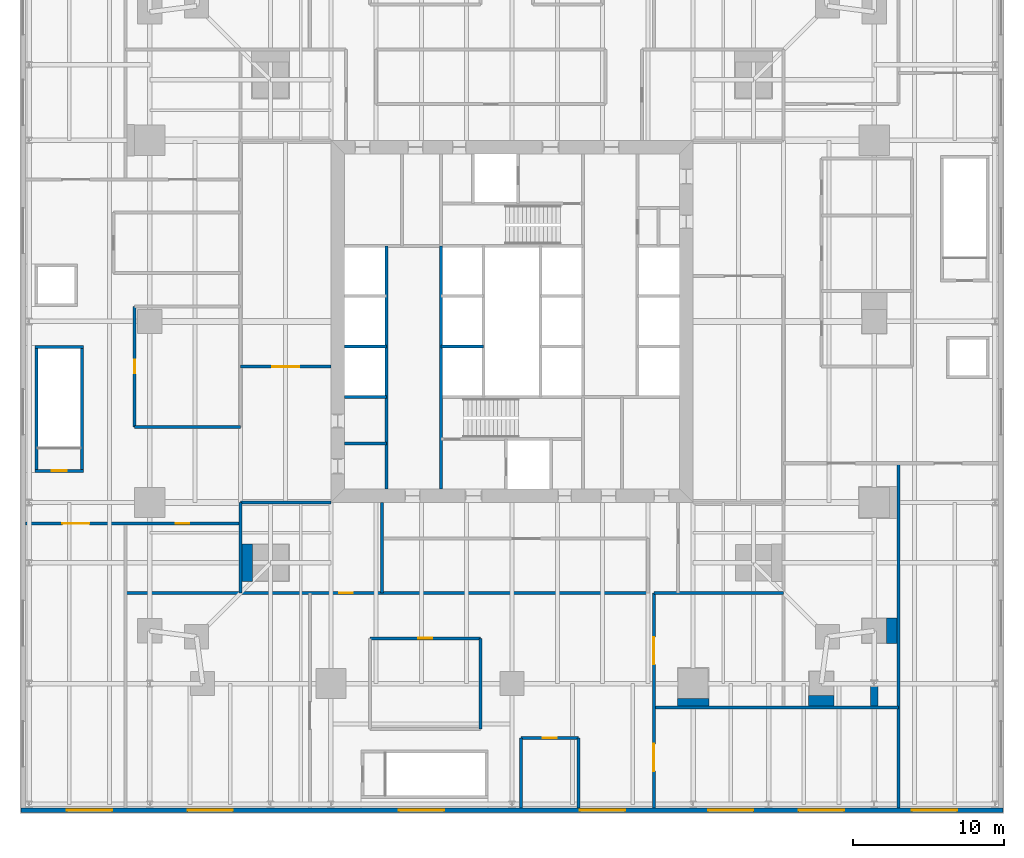
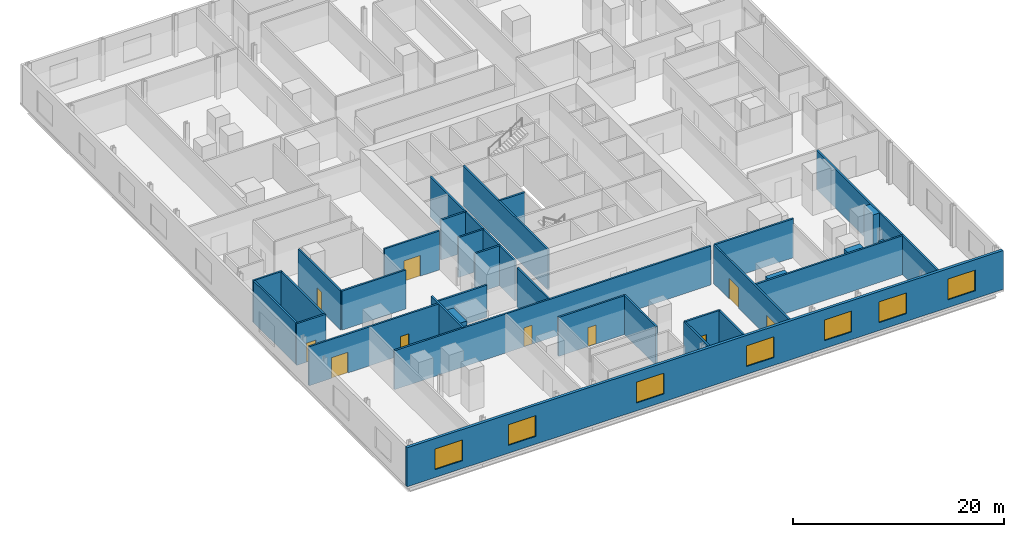
# One storey, part 9 of 15: 33 walls, 10 doors, 7 windows, 17 openings.
"""IFC4 building model written with IfcOpenShell, lengths in metres."""

from ifc_helpers import new_model, si_unit, direction, frame, frame_2d, origin, place, context, subcontext, project, spatial, rectangle, extrude, material, layer, layer_set, type_object, element, fill, save


model = new_model("IFC4")

# Units and contexts
model_context = context("Model", 3, precision=1e-05, world=origin(), true_north=direction((0.0, 1.0)))
body_context = subcontext(model_context, "Body", "Model", "MODEL_VIEW")
ifc_project = project(units=[si_unit("LENGTHUNIT", "METRE"), si_unit("AREAUNIT", "SQUARE_METRE"), si_unit("VOLUMEUNIT", "CUBIC_METRE"), si_unit("PLANEANGLEUNIT", "RADIAN"), si_unit("MASSUNIT", "GRAM", prefix="KILO")], contexts=[model_context])

# Site, building, storey
site_placement = place(None, origin())
site = spatial("IfcSite", under=ifc_project, at=site_placement, CompositionType="ELEMENT")
building_placement = place(site_placement, origin())
building = spatial("IfcBuilding", under=site, at=building_placement, Name="Fenwick Lantern Interchange", CompositionType="ELEMENT")
storey_placement = place(building_placement, frame((0.0, 0.0, 26.199951171875)))
storey = spatial("IfcBuildingStorey", under=building, at=storey_placement, Name="L05", CompositionType="ELEMENT", Elevation=26.199951171875)

# Walls
ifc_material_1 = material(Name="Fire-rated gypsum board encasement on steel studs, 2 hour", Category="steel")
ifc_layer_1 = layer(ifc_material_1, 1.699951171875)
ifc_layer_set_1 = layer_set([ifc_layer_1], Name="COLUMN PIER 1700")
wall_type_1 = type_object("IfcWallType", Name="COLUMN PIER 1700", PredefinedType="PARTITIONING", material=ifc_layer_set_1)
for number, where, z_axis, x_axis, name in (
    (1, (45.5, -0.5, 0.0), (0.0, 0.0, 1.0), (0.0, 1.0, 0.0), "L05/W/PIER/CS5"),
    (2, (50.5, 4.5, 0.0), (0.0, 0.0, 1.0), (-1.0, 0.0, 0.0), "L05/W/PIER/CE1"),
):
    element("IfcWall", number, at=place(storey_placement, frame(where, z_axis=z_axis, x_axis=x_axis)), inside=storey, type_object=wall_type_1, Name=name, PredefinedType="PARTITIONING", context=body_context, shape_type="SweptSolid", body=[
        extrude(rectangle(XDim=0.699951171875, YDim=1.699951171875, at=frame_2d((0.35009765625, 0.0))), origin(), (0.0, 0.0, 1.0), 4.5),
    ])
ifc_layer_2 = layer(ifc_material_1, 2.10009765625)
ifc_layer_set_2 = layer_set([ifc_layer_2], Name="COLUMN PIER 2100")
wall_type_2 = type_object("IfcWallType", Name="COLUMN PIER 2100", PredefinedType="PARTITIONING", material=ifc_layer_set_2)
wall_1_placement = place(storey_placement, frame((37.0, -0.5, 0.0), z_axis=(0.0, 0.0, 1.0), x_axis=(0.0, 1.0, 0.0)))
element("IfcWall", 3, at=wall_1_placement, inside=storey, type_object=wall_type_2, Name="L05/W/PIER/CS4", PredefinedType="PARTITIONING", context=body_context, shape_type="SweptSolid", body=[
    extrude(rectangle(XDim=0.5, YDim=2.10009765625, at=frame_2d((0.25, 0.0))), origin(), (0.0, 0.0, 1.0), 4.5),
])
ifc_layer_3 = layer(ifc_material_1, 2.5)
ifc_layer_set_3 = layer_set([ifc_layer_3], Name="COLUMN PIER 2500")
wall_type_3 = type_object("IfcWallType", Name="COLUMN PIER 2500", PredefinedType="PARTITIONING", material=ifc_layer_set_3)
wall_2_placement = place(storey_placement, frame((7.10009765625, 9.0, 0.0), z_axis=(0.0, 0.0, 1.0), x_axis=(1.0, 0.0, 0.0)))
element("IfcWall", 4, at=wall_2_placement, inside=storey, type_object=wall_type_3, Name="L05/W/PIER/M1", PredefinedType="PARTITIONING", context=body_context, shape_type="SweptSolid", body=[
    extrude(rectangle(XDim=0.699951171875, YDim=2.5, at=frame_2d((0.35009765625, 0.0))), origin(), (0.0, 0.0, 1.0), 4.5),
])
ifc_layer_4 = layer(ifc_material_1, 0.506103515625)
ifc_layer_set_4 = layer_set([ifc_layer_4], Name="COLUMN PIER 506")
wall_type_4 = type_object("IfcWallType", Name="COLUMN PIER 506", PredefinedType="PARTITIONING", material=ifc_layer_set_4)
wall_3_placement = place(storey_placement, frame((49.0, -0.5, 0.0), z_axis=(0.0, 0.0, 1.0), x_axis=(0.0, 1.0, 0.0)))
element("IfcWall", 5, at=wall_3_placement, inside=storey, type_object=wall_type_4, Name="L05/W/PIER/PC9", PredefinedType="PARTITIONING", context=body_context, shape_type="SweptSolid", body=[
    extrude(rectangle(XDim=1.291748046875, YDim=0.506103515625, at=frame_2d((0.64599609375, 0.0))), origin(), (0.0, 0.0, 1.0), 3.654296875),
])
ifc_material_2 = material(Name="Concrete masonry ASTM C90 Grade N", Category="masonry")
ifc_layer_5 = layer(ifc_material_2, 0.199951171875)
ifc_layer_set_5 = layer_set([ifc_layer_5], Name="Concrete masonry ASTM C90 Grade N")
wall_type_5 = type_object("IfcWallType", Name="CORE PARTITION 200", PredefinedType="PARTITIONING", material=ifc_layer_set_5)
wall_4_placement = place(storey_placement, frame((16.699951171875, 13.89990234375, 0.0), z_axis=(0.0, 0.0, 1.0), x_axis=(0.0, 1.0, 0.0)))
element("IfcWall", 6, at=wall_4_placement, inside=storey, type_object=wall_type_5, Name="L05/W/CORES/a", PredefinedType="PARTITIONING", context=body_context, shape_type="SweptSolid", body=[
    extrude(rectangle(XDim=16.10009765625, YDim=0.199951171875, at=frame_2d((8.050048828125, 0.0))), origin(), (0.0, 0.0, 1.0), 4.60009765625),
])
for number, where, z_axis, x_axis, name in (
    (7, (13.89990234375, 20.0, 0.0), (0.0, 0.0, 1.0), (1.0, 0.0, 0.0), "L05/W/CORES/c2"),
    (8, (13.89990234375, 23.333251953125, 0.0), (0.0, 0.0, 1.0), (1.0, 0.0, 0.0), "L05/W/CORES/d1"),
    (9, (20.300048828125, 23.333251953125, 0.0), (0.0, 0.0, 1.0), (1.0, 0.0, 0.0), "L05/W/CORES/e1"),
    (10, (13.89990234375, 16.89990234375, 0.0), (0.0, 0.0, 1.0), (1.0, 0.0, 0.0), "L05/W/CORES/p1"),
):
    element("IfcWall", number, at=place(storey_placement, frame(where, z_axis=z_axis, x_axis=x_axis)), inside=storey, type_object=wall_type_5, Name=name, PredefinedType="PARTITIONING", context=body_context, shape_type="SweptSolid", body=[
        extrude(rectangle(XDim=2.800048828125, YDim=0.199951171875, at=frame_2d((1.39990234375, 0.0))), origin(), (0.0, 0.0, 1.0), 4.60009765625),
    ])

# Wall, openings, windows
ifc_material_3 = material(Name="Limestone ASTM C568 Classification II", Category="masonry")
ifc_layer_6 = layer(ifc_material_3, 0.074951171875)
ifc_material_4 = material(Name="Mineral wool insulation")
ifc_layer_7 = layer(ifc_material_4, 0.125)
ifc_material_5 = material(Name="Cold-formed galvanised steel studs", Category="steel")
ifc_layer_8 = layer(ifc_material_5, 0.10009765625)
ifc_layer_set_6 = layer_set([ifc_layer_6, ifc_layer_7, ifc_layer_8], Name="Limestone ASTM C568 Classification II")
wall_type_6 = type_object("IfcWallType", Name="LIMESTONE RAINSCREEN WALL 300", PredefinedType="SOLIDWALL", material=ifc_layer_set_6)
wall_5_placement = place(storey_placement, frame((-7.550048828125, -7.39990234375, 0.0), z_axis=(0.0, 0.0, 1.0), x_axis=(1.0, 0.0, 0.0)))
wall_5 = element("IfcWall", 11, at=wall_5_placement, inside=storey, type_object=wall_type_6, Name="L05/EW/S", PredefinedType="SOLIDWALL", context=body_context, shape_type="SweptSolid", body=[
    extrude(rectangle(XDim=65.10009765625, YDim=0.300048828125, at=frame_2d((32.550048828125, 0.0))), origin(), (0.0, 0.0, 1.0), 4.5),
])
opening_1_placement = place(wall_5_placement, frame((3.050048828125, 0.0, 0.89990234375)))
opening_1 = element("IfcOpeningElement", 12, at=opening_1_placement, cuts=wall_5, Name="Opening W1", PredefinedType="OPENING", context=body_context, shape_type="SweptSolid", body=[
    extrude(rectangle(XDim=3.0, YDim=2.39990234375, at=frame_2d((1.5, 1.199951171875))), frame((0.0, 0.159912109375, 0.0), z_axis=(0.0, -1.0, 0.0), x_axis=(1.0, 0.0, 0.0)), (0.0, 0.0, 1.0), 0.320068359375),
])
opening_2_placement = place(wall_5_placement, frame((11.050048828125, 0.0, 0.89990234375)))
opening_2 = element("IfcOpeningElement", 13, at=opening_2_placement, cuts=wall_5, Name="Opening W1", PredefinedType="OPENING", context=body_context, shape_type="SweptSolid", body=[
    extrude(rectangle(XDim=3.0, YDim=2.39990234375, at=frame_2d((1.5, 1.199951171875))), frame((0.0, 0.159912109375, 0.0), z_axis=(0.0, -1.0, 0.0), x_axis=(1.0, 0.0, 0.0)), (0.0, 0.0, 1.0), 0.320068359375),
])
opening_3_placement = place(wall_5_placement, frame((25.050048828125, 0.0, 0.89990234375)))
opening_3 = element("IfcOpeningElement", 14, at=opening_3_placement, cuts=wall_5, Name="Opening W1", PredefinedType="OPENING", context=body_context, shape_type="SweptSolid", body=[
    extrude(rectangle(XDim=3.0, YDim=2.39990234375, at=frame_2d((1.5, 1.199951171875))), frame((0.0, 0.159912109375, 0.0), z_axis=(0.0, -1.0, 0.0), x_axis=(1.0, 0.0, 0.0)), (0.0, 0.0, 1.0), 0.320068359375),
])
opening_4_placement = place(wall_5_placement, frame((37.050048828125, 0.0, 0.89990234375)))
opening_4 = element("IfcOpeningElement", 15, at=opening_4_placement, cuts=wall_5, Name="Opening W1", PredefinedType="OPENING", context=body_context, shape_type="SweptSolid", body=[
    extrude(rectangle(XDim=3.0, YDim=2.39990234375, at=frame_2d((1.5, 1.199951171875))), frame((0.0, 0.159912109375, 0.0), z_axis=(0.0, -1.0, 0.0), x_axis=(1.0, 0.0, 0.0)), (0.0, 0.0, 1.0), 0.320068359375),
])
opening_5_placement = place(wall_5_placement, frame((45.550048828125, 0.0, 0.89990234375)))
opening_5 = element("IfcOpeningElement", 16, at=opening_5_placement, cuts=wall_5, Name="Opening W1", PredefinedType="OPENING", context=body_context, shape_type="SweptSolid", body=[
    extrude(rectangle(XDim=3.0, YDim=2.39990234375, at=frame_2d((1.5, 1.199951171875))), frame((0.0, 0.159912109375, 0.0), z_axis=(0.0, -1.0, 0.0), x_axis=(1.0, 0.0, 0.0)), (0.0, 0.0, 1.0), 0.320068359375),
])
opening_6_placement = place(wall_5_placement, frame((51.550048828125, 0.0, 0.89990234375)))
opening_6 = element("IfcOpeningElement", 17, at=opening_6_placement, cuts=wall_5, Name="Opening W1", PredefinedType="OPENING", context=body_context, shape_type="SweptSolid", body=[
    extrude(rectangle(XDim=3.0, YDim=2.39990234375, at=frame_2d((1.5, 1.199951171875))), frame((0.0, 0.159912109375, 0.0), z_axis=(0.0, -1.0, 0.0), x_axis=(1.0, 0.0, 0.0)), (0.0, 0.0, 1.0), 0.320068359375),
])
opening_7_placement = place(wall_5_placement, frame((59.050048828125, 0.0, 0.89990234375)))
opening_7 = element("IfcOpeningElement", 18, at=opening_7_placement, cuts=wall_5, Name="Opening W1", PredefinedType="OPENING", context=body_context, shape_type="SweptSolid", body=[
    extrude(rectangle(XDim=3.0, YDim=2.39990234375, at=frame_2d((1.5, 1.199951171875))), frame((0.0, 0.159912109375, 0.0), z_axis=(0.0, -1.0, 0.0), x_axis=(1.0, 0.0, 0.0)), (0.0, 0.0, 1.0), 0.320068359375),
])
ifc_material_6 = material(Name="Aluminium window, clear glass", Category="aluminium")
window_type = type_object("IfcWindowType", Name="PODIUM WINDOW 3000 X 2400", PartitioningType="SINGLE_PANEL", PredefinedType="WINDOW", material=ifc_material_6)
window_1_placement = place(opening_1_placement, origin())
window_1 = element("IfcWindow", 19, at=window_1_placement, inside=storey, type_object=window_type, Name="Podium window", OverallHeight=2.39990234375, OverallWidth=3.0, PartitioningType="SINGLE_PANEL", PredefinedType="WINDOW", context=body_context, shape_type="SweptSolid", body=[
    extrude(rectangle(XDim=3.0, YDim=2.39990234375, at=frame_2d((1.5, 1.199951171875))), frame((0.0, 0.030029296875, 0.0), z_axis=(0.0, -1.0, 0.0), x_axis=(1.0, 0.0, 0.0)), (0.0, 0.0, 1.0), 0.06005859375),
])
fill(opening_1, window_1)
window_2_placement = place(opening_2_placement, origin())
window_2 = element("IfcWindow", 20, at=window_2_placement, inside=storey, type_object=window_type, Name="Podium window", OverallHeight=2.39990234375, OverallWidth=3.0, PartitioningType="SINGLE_PANEL", PredefinedType="WINDOW", context=body_context, shape_type="SweptSolid", body=[
    extrude(rectangle(XDim=3.0, YDim=2.39990234375, at=frame_2d((1.5, 1.199951171875))), frame((0.0, 0.030029296875, 0.0), z_axis=(0.0, -1.0, 0.0), x_axis=(1.0, 0.0, 0.0)), (0.0, 0.0, 1.0), 0.06005859375),
])
fill(opening_2, window_2)
window_3_placement = place(opening_3_placement, origin())
window_3 = element("IfcWindow", 21, at=window_3_placement, inside=storey, type_object=window_type, Name="Podium window", OverallHeight=2.39990234375, OverallWidth=3.0, PartitioningType="SINGLE_PANEL", PredefinedType="WINDOW", context=body_context, shape_type="SweptSolid", body=[
    extrude(rectangle(XDim=3.0, YDim=2.39990234375, at=frame_2d((1.5, 1.199951171875))), frame((0.0, 0.030029296875, 0.0), z_axis=(0.0, -1.0, 0.0), x_axis=(1.0, 0.0, 0.0)), (0.0, 0.0, 1.0), 0.06005859375),
])
fill(opening_3, window_3)
window_4_placement = place(opening_4_placement, origin())
window_4 = element("IfcWindow", 22, at=window_4_placement, inside=storey, type_object=window_type, Name="Podium window", OverallHeight=2.39990234375, OverallWidth=3.0, PartitioningType="SINGLE_PANEL", PredefinedType="WINDOW", context=body_context, shape_type="SweptSolid", body=[
    extrude(rectangle(XDim=3.0, YDim=2.39990234375, at=frame_2d((1.5, 1.199951171875))), frame((0.0, 0.030029296875, 0.0), z_axis=(0.0, -1.0, 0.0), x_axis=(1.0, 0.0, 0.0)), (0.0, 0.0, 1.0), 0.06005859375),
])
fill(opening_4, window_4)
window_5_placement = place(opening_5_placement, origin())
window_5 = element("IfcWindow", 23, at=window_5_placement, inside=storey, type_object=window_type, Name="Podium window", OverallHeight=2.39990234375, OverallWidth=3.0, PartitioningType="SINGLE_PANEL", PredefinedType="WINDOW", context=body_context, shape_type="SweptSolid", body=[
    extrude(rectangle(XDim=3.0, YDim=2.39990234375, at=frame_2d((1.5, 1.199951171875))), frame((0.0, 0.030029296875, 0.0), z_axis=(0.0, -1.0, 0.0), x_axis=(1.0, 0.0, 0.0)), (0.0, 0.0, 1.0), 0.06005859375),
])
fill(opening_5, window_5)
window_6_placement = place(opening_6_placement, origin())
window_6 = element("IfcWindow", 24, at=window_6_placement, inside=storey, type_object=window_type, Name="Podium window", OverallHeight=2.39990234375, OverallWidth=3.0, PartitioningType="SINGLE_PANEL", PredefinedType="WINDOW", context=body_context, shape_type="SweptSolid", body=[
    extrude(rectangle(XDim=3.0, YDim=2.39990234375, at=frame_2d((1.5, 1.199951171875))), frame((0.0, 0.030029296875, 0.0), z_axis=(0.0, -1.0, 0.0), x_axis=(1.0, 0.0, 0.0)), (0.0, 0.0, 1.0), 0.06005859375),
])
fill(opening_6, window_6)
window_7_placement = place(opening_7_placement, origin())
window_7 = element("IfcWindow", 25, at=window_7_placement, inside=storey, type_object=window_type, Name="Podium window", OverallHeight=2.39990234375, OverallWidth=3.0, PartitioningType="SINGLE_PANEL", PredefinedType="WINDOW", context=body_context, shape_type="SweptSolid", body=[
    extrude(rectangle(XDim=3.0, YDim=2.39990234375, at=frame_2d((1.5, 1.199951171875))), frame((0.0, 0.030029296875, 0.0), z_axis=(0.0, -1.0, 0.0), x_axis=(1.0, 0.0, 0.0)), (0.0, 0.0, 1.0), 0.06005859375),
])
fill(opening_7, window_7)

# Wall, opening, door
ifc_material_7 = material(Name="Gypsum board on steel studs, 1 hour", Category="steel")
ifc_layer_9 = layer(ifc_material_7, 0.199951171875)
ifc_layer_set_7 = layer_set([ifc_layer_9], Name="ROOM WALL 200")
wall_type_7 = type_object("IfcWallType", Name="ROOM WALL 200", PredefinedType="PARTITIONING", material=ifc_layer_set_7)
wall_6_placement = place(storey_placement, frame((0.0, 18.0, 0.0), z_axis=(0.0, 0.0, 1.0), x_axis=(0.0, 1.0, 0.0)))
wall_6 = element("IfcWall", 26, at=wall_6_placement, inside=storey, type_object=wall_type_7, Name="L05/W/POD/X0-1", PredefinedType="PARTITIONING", context=body_context, shape_type="SweptSolid", body=[
    extrude(rectangle(XDim=8.0, YDim=0.199951171875, at=frame_2d((4.0, 0.0))), origin(), (0.0, 0.0, 1.0), 4.5),
])
opening_8_placement = place(wall_6_placement, frame((3.550048828125, 0.0, 0.0)))
opening_8 = element("IfcOpeningElement", 27, at=opening_8_placement, cuts=wall_6, Name="Opening L05-D044", PredefinedType="OPENING", context=body_context, shape_type="SweptSolid", body=[
    extrude(rectangle(XDim=0.89990234375, YDim=2.199951171875, at=frame_2d((0.449951171875, 1.10009765625))), frame((0.0, 0.10986328125, 0.0), z_axis=(0.0, -1.0, 0.0), x_axis=(1.0, 0.0, 0.0)), (0.0, 0.0, 1.0), 0.219970703125),
])
ifc_material_8 = material(Name="Hardwood door and steel frame", Category="steel")
door_type_1 = type_object("IfcDoorType", Name="OFFICE DOOR 900 X 2200", OperationType="SINGLE_SWING_LEFT", PredefinedType="DOOR", material=ifc_material_8)
door_1_placement = place(opening_8_placement, frame((0.89990234375, 0.0, 0.0), z_axis=(0.0, 0.0, 1.0), x_axis=(-1.0, 0.0, 0.0)))
door_1 = element("IfcDoor", 28, at=door_1_placement, inside=storey, type_object=door_type_1, Name="Office door", OperationType="SINGLE_SWING_RIGHT", OverallHeight=2.199951171875, OverallWidth=0.89990234375, PredefinedType="DOOR", context=body_context, shape_type="SweptSolid", body=[
    extrude(rectangle(XDim=0.89990234375, YDim=2.199951171875, at=frame_2d((0.449951171875, 1.10009765625))), frame((0.0, 0.02490234375, 0.0), z_axis=(0.0, -1.0, 0.0), x_axis=(1.0, 0.0, 0.0)), (0.0, 0.0, 1.0), 0.050048828125),
])
fill(opening_8, door_1)

# Walls
for number, where, z_axis, x_axis, name in (
    (29, (7.0, 7.0, 0.0), (0.0, 0.0, 1.0), (0.0, 1.0, 0.0), "L05/W/POD/X7-1"),
    (30, (16.39990234375, 7.0, 0.0), (0.0, 0.0, 1.0), (0.0, 1.0, 0.0), "L05/W/POD/X16.4-1"),
    (31, (22.89990234375, -2.0, 0.0), (0.0, 0.0, 1.0), (0.0, 1.0, 0.0), "L05/W/POD/X22.9-1"),
):
    element("IfcWall", number, at=place(storey_placement, frame(where, z_axis=z_axis, x_axis=x_axis)), inside=storey, type_object=wall_type_7, Name=name, PredefinedType="PARTITIONING", context=body_context, shape_type="SweptSolid", body=[
        extrude(rectangle(XDim=6.0, YDim=0.199951171875, at=frame_2d((3.0, 0.0))), origin(), (0.0, 0.0, 1.0), 4.5),
    ])
for number, where, z_axis, x_axis, name in (
    (32, (25.60009765625, -7.25, 0.0), (0.0, 0.0, 1.0), (0.0, 1.0, 0.0), "L05/W/POD/X25.6-1"),
    (33, (29.39990234375, -7.25, 0.0), (0.0, 0.0, 1.0), (0.0, 1.0, 0.0), "L05/W/POD/X29.4-1"),
):
    element("IfcWall", number, at=place(storey_placement, frame(where, z_axis=z_axis, x_axis=x_axis)), inside=storey, type_object=wall_type_7, Name=name, PredefinedType="PARTITIONING", context=body_context, shape_type="SweptSolid", body=[
        extrude(rectangle(XDim=4.64990234375, YDim=0.199951171875, at=frame_2d((2.324951171875, 0.0))), origin(), (0.0, 0.0, 1.0), 4.5),
    ])

# Wall, openings, doors
wall_7_placement = place(storey_placement, frame((34.39990234375, -7.25, 0.0), z_axis=(0.0, 0.0, 1.0), x_axis=(0.0, 1.0, 0.0)))
wall_7 = element("IfcWall", 34, at=wall_7_placement, inside=storey, type_object=wall_type_7, Name="L05/W/POD/X34.4-1", PredefinedType="PARTITIONING", context=body_context, shape_type="SweptSolid", body=[
    extrude(rectangle(XDim=14.25, YDim=0.199951171875, at=frame_2d((7.125, 0.0))), origin(), (0.0, 0.0, 1.0), 4.5),
])
opening_9_placement = place(wall_7_placement, frame((2.449951171875, 0.0, 0.0)))
opening_9 = element("IfcOpeningElement", 35, at=opening_9_placement, cuts=wall_7, Name="Opening L05-D025", PredefinedType="OPENING", context=body_context, shape_type="SweptSolid", body=[
    extrude(rectangle(XDim=1.800048828125, YDim=2.39990234375, at=frame_2d((0.89990234375, 1.199951171875))), frame((0.0, 0.10986328125, 0.0), z_axis=(0.0, -1.0, 0.0), x_axis=(1.0, 0.0, 0.0)), (0.0, 0.0, 1.0), 0.219970703125),
])
opening_10_placement = place(wall_7_placement, frame((9.52490234375, 0.0, 0.0)))
opening_10 = element("IfcOpeningElement", 36, at=opening_10_placement, cuts=wall_7, Name="Opening L05-D026", PredefinedType="OPENING", context=body_context, shape_type="SweptSolid", body=[
    extrude(rectangle(XDim=1.800048828125, YDim=2.39990234375, at=frame_2d((0.89990234375, 1.199951171875))), frame((0.0, 0.10986328125, 0.0), z_axis=(0.0, -1.0, 0.0), x_axis=(1.0, 0.0, 0.0)), (0.0, 0.0, 1.0), 0.219970703125),
])
ifc_material_9 = material(Name="Steel door and frame", Category="steel")
door_type_2 = type_object("IfcDoorType", Name="ROOM DOOR PAIR 1800 X 2400", OperationType="DOUBLE_DOOR_SINGLE_SWING", PredefinedType="DOOR", material=ifc_material_9)
door_2_placement = place(opening_9_placement, origin())
door_2 = element("IfcDoor", 37, at=door_2_placement, inside=storey, type_object=door_type_2, Name="Room door pair", OperationType="DOUBLE_DOOR_SINGLE_SWING", OverallHeight=2.39990234375, OverallWidth=1.800048828125, PredefinedType="DOOR", context=body_context, shape_type="SweptSolid", body=[
    extrude(rectangle(XDim=1.800048828125, YDim=2.39990234375, at=frame_2d((0.89990234375, 1.199951171875))), frame((0.0, 0.02490234375, 0.0), z_axis=(0.0, -1.0, 0.0), x_axis=(1.0, 0.0, 0.0)), (0.0, 0.0, 1.0), 0.050048828125),
])
fill(opening_9, door_2)
door_3_placement = place(opening_10_placement, origin())
door_3 = element("IfcDoor", 38, at=door_3_placement, inside=storey, type_object=door_type_2, Name="Room door pair", OperationType="DOUBLE_DOOR_SINGLE_SWING", OverallHeight=2.39990234375, OverallWidth=1.800048828125, PredefinedType="DOOR", context=body_context, shape_type="SweptSolid", body=[
    extrude(rectangle(XDim=1.800048828125, YDim=2.39990234375, at=frame_2d((0.89990234375, 1.199951171875))), frame((0.0, 0.02490234375, 0.0), z_axis=(0.0, -1.0, 0.0), x_axis=(1.0, 0.0, 0.0)), (0.0, 0.0, 1.0), 0.050048828125),
])
fill(opening_10, door_3)

# Wall
wall_8_placement = place(storey_placement, frame((50.60009765625, -7.25, 0.0), z_axis=(0.0, 0.0, 1.0), x_axis=(0.0, 1.0, 0.0)))
element("IfcWall", 39, at=wall_8_placement, inside=storey, type_object=wall_type_7, Name="L05/W/POD/X50.6-1", PredefinedType="PARTITIONING", context=body_context, shape_type="SweptSolid", body=[
    extrude(rectangle(XDim=22.85009765625, YDim=0.199951171875, at=frame_2d((11.425048828125, 0.0))), origin(), (0.0, 0.0, 1.0), 4.5),
])

# Wall, opening, door
wall_9_placement = place(storey_placement, frame((25.60009765625, -2.60009765625, 0.0), z_axis=(0.0, 0.0, 1.0), x_axis=(1.0, 0.0, 0.0)))
wall_9 = element("IfcWall", 40, at=wall_9_placement, inside=storey, type_object=wall_type_7, Name="L05/W/POD/Y-2.6-1", PredefinedType="PARTITIONING", context=body_context, shape_type="SweptSolid", body=[
    extrude(rectangle(XDim=3.7998046875, YDim=0.199951171875, at=frame_2d((1.89990234375, 0.0))), origin(), (0.0, 0.0, 1.0), 4.5),
])
opening_11_placement = place(wall_9_placement, frame((1.449951171875, 0.0, 0.0)))
opening_11 = element("IfcOpeningElement", 41, at=opening_11_placement, cuts=wall_9, Name="Opening L05-D050", PredefinedType="OPENING", context=body_context, shape_type="SweptSolid", body=[
    extrude(rectangle(XDim=0.89990234375, YDim=2.199951171875, at=frame_2d((0.449951171875, 1.10009765625))), frame((0.0, 0.10986328125, 0.0), z_axis=(0.0, -1.0, 0.0), x_axis=(1.0, 0.0, 0.0)), (0.0, 0.0, 1.0), 0.219970703125),
])
door_4_placement = place(opening_11_placement, frame((0.89990234375, 0.0, 0.0), z_axis=(0.0, 0.0, 1.0), x_axis=(-1.0, 0.0, 0.0)))
door_4 = element("IfcDoor", 42, at=door_4_placement, inside=storey, type_object=door_type_1, Name="Office door", OperationType="SINGLE_SWING_RIGHT", OverallHeight=2.199951171875, OverallWidth=0.89990234375, PredefinedType="DOOR", context=body_context, shape_type="SweptSolid", body=[
    extrude(rectangle(XDim=0.89990234375, YDim=2.199951171875, at=frame_2d((0.449951171875, 1.10009765625))), frame((0.0, 0.02490234375, 0.0), z_axis=(0.0, -1.0, 0.0), x_axis=(1.0, 0.0, 0.0)), (0.0, 0.0, 1.0), 0.050048828125),
])
fill(opening_11, door_4)

# Wall
wall_10_placement = place(storey_placement, frame((34.39990234375, -0.60009765625, 0.0), z_axis=(0.0, 0.0, 1.0), x_axis=(1.0, 0.0, 0.0)))
element("IfcWall", 43, at=wall_10_placement, inside=storey, type_object=wall_type_7, Name="L05/W/POD/Y-0.6-1", PredefinedType="PARTITIONING", context=body_context, shape_type="SweptSolid", body=[
    extrude(rectangle(XDim=16.2001953125, YDim=0.199951171875, at=frame_2d((8.10009765625, 0.0))), origin(), (0.0, 0.0, 1.0), 4.5),
])

# Wall, opening, door
wall_11_placement = place(storey_placement, frame((15.60009765625, 4.0, 0.0), z_axis=(0.0, 0.0, 1.0), x_axis=(1.0, 0.0, 0.0)))
wall_11 = element("IfcWall", 44, at=wall_11_placement, inside=storey, type_object=wall_type_7, Name="L05/W/POD/Y4-1", PredefinedType="PARTITIONING", context=body_context, shape_type="SweptSolid", body=[
    extrude(rectangle(XDim=7.2998046875, YDim=0.199951171875, at=frame_2d((3.64990234375, 0.0))), origin(), (0.0, 0.0, 1.0), 4.5),
])
opening_12_placement = place(wall_11_placement, frame((3.199951171875, 0.0, 0.0)))
opening_12 = element("IfcOpeningElement", 45, at=opening_12_placement, cuts=wall_11, Name="Opening L05-D042", PredefinedType="OPENING", context=body_context, shape_type="SweptSolid", body=[
    extrude(rectangle(XDim=0.89990234375, YDim=2.199951171875, at=frame_2d((0.449951171875, 1.10009765625))), frame((0.0, 0.10986328125, 0.0), z_axis=(0.0, -1.0, 0.0), x_axis=(1.0, 0.0, 0.0)), (0.0, 0.0, 1.0), 0.219970703125),
])
door_5_placement = place(opening_12_placement, frame((0.89990234375, 0.0, 0.0), z_axis=(0.0, 0.0, 1.0), x_axis=(-1.0, 0.0, 0.0)))
door_5 = element("IfcDoor", 46, at=door_5_placement, inside=storey, type_object=door_type_1, Name="Office door", OperationType="SINGLE_SWING_RIGHT", OverallHeight=2.199951171875, OverallWidth=0.89990234375, PredefinedType="DOOR", context=body_context, shape_type="SweptSolid", body=[
    extrude(rectangle(XDim=0.89990234375, YDim=2.199951171875, at=frame_2d((0.449951171875, 1.10009765625))), frame((0.0, 0.02490234375, 0.0), z_axis=(0.0, -1.0, 0.0), x_axis=(1.0, 0.0, 0.0)), (0.0, 0.0, 1.0), 0.050048828125),
])
fill(opening_12, door_5)

wall_12_placement = place(storey_placement, frame((-0.60009765625, 7.0, 0.0), z_axis=(0.0, 0.0, 1.0), x_axis=(1.0, 0.0, 0.0)))
wall_12 = element("IfcWall", 47, at=wall_12_placement, inside=storey, type_object=wall_type_7, Name="L05/W/POD/Y7-1", PredefinedType="PARTITIONING", context=body_context, shape_type="SweptSolid", body=[
    extrude(rectangle(XDim=34.60009765625, YDim=0.199951171875, at=frame_2d((17.300048828125, 0.0))), origin(), (0.0, 0.0, 1.0), 4.5),
])
opening_13_placement = place(wall_12_placement, frame((14.14990234375, 0.0, 0.0)))
opening_13 = element("IfcOpeningElement", 48, at=opening_13_placement, cuts=wall_12, Name="Opening L05-D038", PredefinedType="OPENING", context=body_context, shape_type="SweptSolid", body=[
    extrude(rectangle(XDim=0.89990234375, YDim=2.199951171875, at=frame_2d((0.449951171875, 1.10009765625))), frame((0.0, 0.10986328125, 0.0), z_axis=(0.0, -1.0, 0.0), x_axis=(1.0, 0.0, 0.0)), (0.0, 0.0, 1.0), 0.219970703125),
])
door_6_placement = place(opening_13_placement, origin())
door_6 = element("IfcDoor", 49, at=door_6_placement, inside=storey, type_object=door_type_1, Name="Office door", OperationType="SINGLE_SWING_RIGHT", OverallHeight=2.199951171875, OverallWidth=0.89990234375, PredefinedType="DOOR", context=body_context, shape_type="SweptSolid", body=[
    extrude(rectangle(XDim=0.89990234375, YDim=2.199951171875, at=frame_2d((0.449951171875, 1.10009765625))), frame((0.0, 0.02490234375, 0.0), z_axis=(0.0, -1.0, 0.0), x_axis=(1.0, 0.0, 0.0)), (0.0, 0.0, 1.0), 0.050048828125),
])
fill(opening_13, door_6)

# Wall
wall_13_placement = place(storey_placement, frame((34.39990234375, 7.0, 0.0), z_axis=(0.0, 0.0, 1.0), x_axis=(1.0, 0.0, 0.0)))
element("IfcWall", 50, at=wall_13_placement, inside=storey, type_object=wall_type_7, Name="L05/W/POD/Y7-2", PredefinedType="PARTITIONING", context=body_context, shape_type="SweptSolid", body=[
    extrude(rectangle(XDim=8.60009765625, YDim=0.199951171875, at=frame_2d((4.300048828125, 0.0))), origin(), (0.0, 0.0, 1.0), 4.5),
])

# Wall, openings, doors
wall_14_placement = place(storey_placement, frame((-7.25, 11.60009765625, 0.0), z_axis=(0.0, 0.0, 1.0), x_axis=(1.0, 0.0, 0.0)))
wall_14 = element("IfcWall", 51, at=wall_14_placement, inside=storey, type_object=wall_type_7, Name="L05/W/POD/Y11.6-1", PredefinedType="PARTITIONING", context=body_context, shape_type="SweptSolid", body=[
    extrude(rectangle(XDim=14.25, YDim=0.199951171875, at=frame_2d((7.125, 0.0))), origin(), (0.0, 0.0, 1.0), 4.5),
])
opening_14_placement = place(wall_14_placement, frame((2.449951171875, 0.0, 0.0)))
opening_14 = element("IfcOpeningElement", 52, at=opening_14_placement, cuts=wall_14, Name="Opening L05-D023", PredefinedType="OPENING", context=body_context, shape_type="SweptSolid", body=[
    extrude(rectangle(XDim=1.800048828125, YDim=2.39990234375, at=frame_2d((0.89990234375, 1.199951171875))), frame((0.0, 0.10986328125, 0.0), z_axis=(0.0, -1.0, 0.0), x_axis=(1.0, 0.0, 0.0)), (0.0, 0.0, 1.0), 0.219970703125),
])
opening_15_placement = place(wall_14_placement, frame((9.97509765625, 0.0, 0.0)))
opening_15 = element("IfcOpeningElement", 53, at=opening_15_placement, cuts=wall_14, Name="Opening L05-D024", PredefinedType="OPENING", context=body_context, shape_type="SweptSolid", body=[
    extrude(rectangle(XDim=0.89990234375, YDim=2.199951171875, at=frame_2d((0.449951171875, 1.10009765625))), frame((0.0, 0.10986328125, 0.0), z_axis=(0.0, -1.0, 0.0), x_axis=(1.0, 0.0, 0.0)), (0.0, 0.0, 1.0), 0.219970703125),
])
door_7_placement = place(opening_15_placement, frame((0.89990234375, 0.0, 0.0), z_axis=(0.0, 0.0, 1.0), x_axis=(-1.0, 0.0, 0.0)))
door_7 = element("IfcDoor", 54, at=door_7_placement, inside=storey, type_object=door_type_1, Name="Office door", OperationType="SINGLE_SWING_RIGHT", OverallHeight=2.199951171875, OverallWidth=0.89990234375, PredefinedType="DOOR", context=body_context, shape_type="SweptSolid", body=[
    extrude(rectangle(XDim=0.89990234375, YDim=2.199951171875, at=frame_2d((0.449951171875, 1.10009765625))), frame((0.0, 0.02490234375, 0.0), z_axis=(0.0, -1.0, 0.0), x_axis=(1.0, 0.0, 0.0)), (0.0, 0.0, 1.0), 0.050048828125),
])
fill(opening_15, door_7)
door_8_placement = place(opening_14_placement, origin())
door_8 = element("IfcDoor", 55, at=door_8_placement, inside=storey, type_object=door_type_2, Name="Room door pair", OperationType="DOUBLE_DOOR_SINGLE_SWING", OverallHeight=2.39990234375, OverallWidth=1.800048828125, PredefinedType="DOOR", context=body_context, shape_type="SweptSolid", body=[
    extrude(rectangle(XDim=1.800048828125, YDim=2.39990234375, at=frame_2d((0.89990234375, 1.199951171875))), frame((0.0, 0.02490234375, 0.0), z_axis=(0.0, -1.0, 0.0), x_axis=(1.0, 0.0, 0.0)), (0.0, 0.0, 1.0), 0.050048828125),
])
fill(opening_14, door_8)

# Walls
wall_15_placement = place(storey_placement, frame((7.0, 13.0, 0.0), z_axis=(0.0, 0.0, 1.0), x_axis=(1.0, 0.0, 0.0)))
element("IfcWall", 56, at=wall_15_placement, inside=storey, type_object=wall_type_7, Name="L05/W/POD/Y13-1", PredefinedType="PARTITIONING", context=body_context, shape_type="SweptSolid", body=[
    extrude(rectangle(XDim=6.0, YDim=0.199951171875, at=frame_2d((3.0, 0.0))), origin(), (0.0, 0.0, 1.0), 3.70263671875),
])
wall_16_placement = place(storey_placement, frame((0.0, 18.0, 0.0), z_axis=(0.0, 0.0, 1.0), x_axis=(1.0, 0.0, 0.0)))
element("IfcWall", 57, at=wall_16_placement, inside=storey, type_object=wall_type_7, Name="L05/W/POD/Y18-1", PredefinedType="PARTITIONING", context=body_context, shape_type="SweptSolid", body=[
    extrude(rectangle(XDim=7.0, YDim=0.199951171875, at=frame_2d((3.5, 0.0))), origin(), (0.0, 0.0, 1.0), 4.5),
])

# Wall, opening, door
wall_17_placement = place(storey_placement, frame((7.0, 22.0, 0.0), z_axis=(0.0, 0.0, 1.0), x_axis=(1.0, 0.0, 0.0)))
wall_17 = element("IfcWall", 58, at=wall_17_placement, inside=storey, type_object=wall_type_7, Name="L05/W/POD/Y22-1", PredefinedType="PARTITIONING", context=body_context, shape_type="SweptSolid", body=[
    extrude(rectangle(XDim=6.0, YDim=0.199951171875, at=frame_2d((3.0, 0.0))), origin(), (0.0, 0.0, 1.0), 4.5),
])
opening_16_placement = place(wall_17_placement, frame((2.099853515625, 0.0, 0.0)))
opening_16 = element("IfcOpeningElement", 59, at=opening_16_placement, cuts=wall_17, Name="Opening L05-D036", PredefinedType="OPENING", context=body_context, shape_type="SweptSolid", body=[
    extrude(rectangle(XDim=1.800048828125, YDim=2.39990234375, at=frame_2d((0.89990234375, 1.199951171875))), frame((0.0, 0.10986328125, 0.0), z_axis=(0.0, -1.0, 0.0), x_axis=(1.0, 0.0, 0.0)), (0.0, 0.0, 1.0), 0.219970703125),
])
door_9_placement = place(opening_16_placement, frame((1.800048828125, 0.0, 0.0), z_axis=(0.0, 0.0, 1.0), x_axis=(-1.0, 0.0, 0.0)))
door_9 = element("IfcDoor", 60, at=door_9_placement, inside=storey, type_object=door_type_2, Name="Room door pair", OperationType="DOUBLE_DOOR_SINGLE_SWING", OverallHeight=2.39990234375, OverallWidth=1.800048828125, PredefinedType="DOOR", context=body_context, shape_type="SweptSolid", body=[
    extrude(rectangle(XDim=1.800048828125, YDim=2.39990234375, at=frame_2d((0.89990234375, 1.199951171875))), frame((0.0, 0.02490234375, 0.0), z_axis=(0.0, -1.0, 0.0), x_axis=(1.0, 0.0, 0.0)), (0.0, 0.0, 1.0), 0.050048828125),
])
fill(opening_16, door_9)

# Wall
ifc_material_10 = material(Name="Concrete f'c 45 MPa", Category="concrete")
ifc_layer_10 = layer(ifc_material_10, 0.199951171875)
ifc_layer_set_8 = layer_set([ifc_layer_10], Name="STAIR CORE WALL 200")
wall_type_8 = type_object("IfcWallType", Name="STAIR CORE WALL 200", PredefinedType="SOLIDWALL", material=ifc_layer_set_8)
wall_18_placement = place(storey_placement, frame((20.300048828125, 13.89990234375, 0.0), z_axis=(0.0, 0.0, 1.0), x_axis=(0.0, 1.0, 0.0)))
element("IfcWall", 61, at=wall_18_placement, inside=storey, type_object=wall_type_8, Name="L05/W/CORES/b", PredefinedType="SOLIDWALL", context=body_context, shape_type="SweptSolid", body=[
    extrude(rectangle(XDim=16.10009765625, YDim=0.199951171875, at=frame_2d((8.050048828125, 0.0))), origin(), (0.0, 0.0, 1.0), 4.60009765625),
])

# Wall, opening, door
ifc_material_11 = material(Name="Reinforced concrete masonry ASTM C90 Grade N", Category="masonry")
ifc_layer_11 = layer(ifc_material_11, 0.199951171875)
ifc_layer_set_9 = layer_set([ifc_layer_11], Name="Reinforced concrete masonry ASTM C90 Grade N")
wall_type_9 = type_object("IfcWallType", Name="STAIR ENCLOSURE 200", PredefinedType="SOLIDWALL", material=ifc_layer_set_9)
wall_19_placement = place(storey_placement, frame((-6.60009765625, 15.10009765625, 0.0), z_axis=(0.0, 0.0, 1.0), x_axis=(1.0, 0.0, 0.0)))
wall_19 = element("IfcWall", 62, at=wall_19_placement, inside=storey, type_object=wall_type_9, Name="L05/W/PS3/S", PredefinedType="SOLIDWALL", context=body_context, shape_type="SweptSolid", body=[
    extrude(rectangle(XDim=3.2001953125, YDim=0.199951171875, at=frame_2d((1.60009765625, 0.0))), origin(), (0.0, 0.0, 1.0), 4.800048828125),
])
opening_17_placement = place(wall_19_placement, frame((1.10009765625, 0.0, 0.0)))
opening_17 = element("IfcOpeningElement", 63, at=opening_17_placement, cuts=wall_19, Name="Opening L05-D020", PredefinedType="OPENING", context=body_context, shape_type="SweptSolid", body=[
    extrude(rectangle(XDim=1.0, YDim=2.199951171875, at=frame_2d((0.5, 1.10009765625))), frame((0.0, 0.10986328125, 0.0), z_axis=(0.0, -1.0, 0.0), x_axis=(1.0, 0.0, 0.0)), (0.0, 0.0, 1.0), 0.219970703125),
])
door_type_3 = type_object("IfcDoorType", Name="STAIR DOOR 1000 X 2200", OperationType="SINGLE_SWING_LEFT", PredefinedType="DOOR", material=ifc_material_9)
door_10_placement = place(opening_17_placement, origin())
door_10 = element("IfcDoor", 64, at=door_10_placement, inside=storey, type_object=door_type_3, Name="Stair door", OperationType="SINGLE_SWING_LEFT", OverallHeight=2.199951171875, OverallWidth=1.0, PredefinedType="DOOR", context=body_context, shape_type="SweptSolid", body=[
    extrude(rectangle(XDim=1.0, YDim=2.199951171875, at=frame_2d((0.5, 1.10009765625))), frame((0.0, 0.02490234375, 0.0), z_axis=(0.0, -1.0, 0.0), x_axis=(1.0, 0.0, 0.0)), (0.0, 0.0, 1.0), 0.050048828125),
])
fill(opening_17, door_10)

# Walls
wall_20_placement = place(storey_placement, frame((-3.5, 15.199951171875, 0.0), z_axis=(0.0, 0.0, 1.0), x_axis=(0.0, 1.0, 0.0)))
element("IfcWall", 65, at=wall_20_placement, inside=storey, type_object=wall_type_9, Name="L05/W/PS3/E", PredefinedType="SOLIDWALL", context=body_context, shape_type="SweptSolid", body=[
    extrude(rectangle(XDim=8.0, YDim=0.199951171875, at=frame_2d((4.0, 0.0))), origin(), (0.0, 0.0, 1.0), 4.800048828125),
])
wall_21_placement = place(storey_placement, frame((-3.39990234375, 23.300048828125, 0.0), z_axis=(0.0, 0.0, 1.0), x_axis=(-1.0, 0.0, 0.0)))
element("IfcWall", 66, at=wall_21_placement, inside=storey, type_object=wall_type_9, Name="L05/W/PS3/N", PredefinedType="SOLIDWALL", context=body_context, shape_type="SweptSolid", body=[
    extrude(rectangle(XDim=3.2001953125, YDim=0.199951171875, at=frame_2d((1.60009765625, 0.0))), origin(), (0.0, 0.0, 1.0), 4.800048828125),
])
wall_22_placement = place(storey_placement, frame((-6.5, 23.199951171875, 0.0), z_axis=(0.0, 0.0, 1.0), x_axis=(0.0, -1.0, 0.0)))
element("IfcWall", 67, at=wall_22_placement, inside=storey, type_object=wall_type_9, Name="L05/W/PS3/W", PredefinedType="SOLIDWALL", context=body_context, shape_type="SweptSolid", body=[
    extrude(rectangle(XDim=8.0, YDim=0.199951171875, at=frame_2d((4.0, 0.0))), origin(), (0.0, 0.0, 1.0), 4.800048828125),
])

save(model, "model.ifc")
